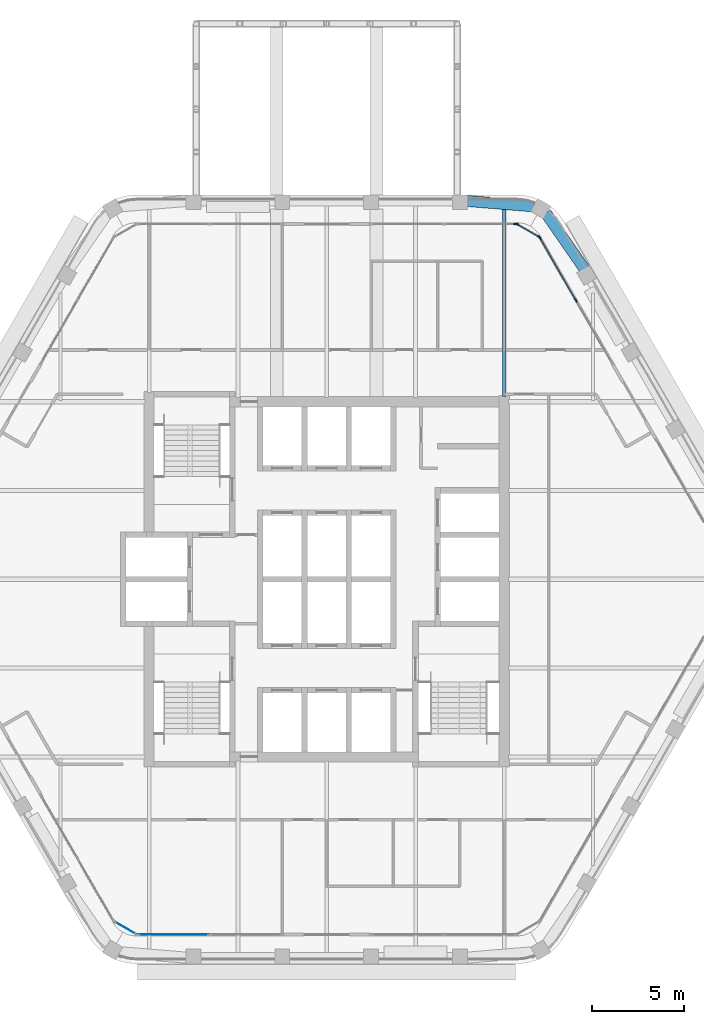
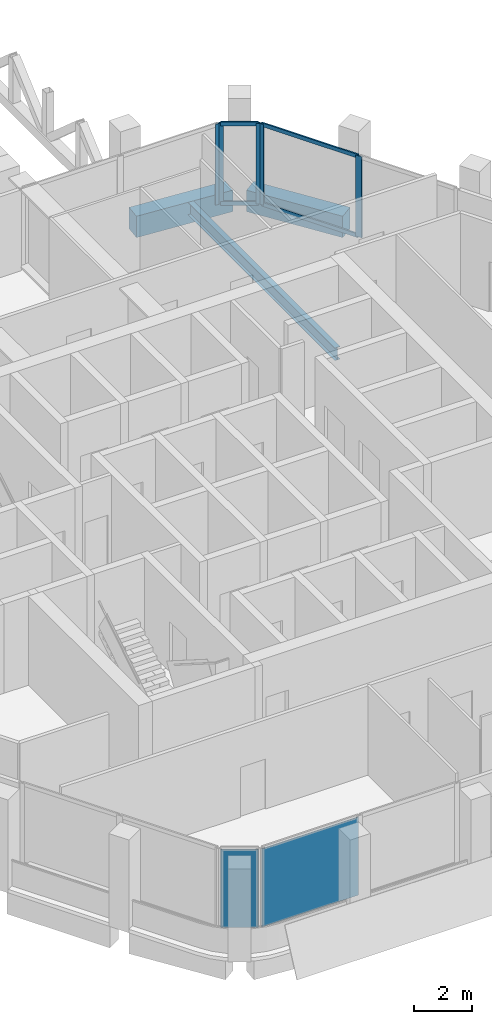
# One storey, part 6 of 14: 9 members, 3 beams, 2 plates, 5 elements without a shape of their own.
"""IFC4 building model written with IfcOpenShell, lengths in metres."""

from ifc_helpers import new_model, si_unit, direction, frame, origin, origin_2d, place, context, subcontext, project, spatial, rectangle, i_section, extrude, material, layer, layer_set, material_profile, profile_set, type_object, element, aggregate, save


model = new_model("IFC4")

# Units and contexts
model_context = context("Model", 3, precision=1e-05, world=origin(), true_north=direction((0.0, 1.0)))
body_context = subcontext(model_context, "Body", "Model", "MODEL_VIEW")
ifc_project = project(units=[si_unit("LENGTHUNIT", "METRE"), si_unit("AREAUNIT", "SQUARE_METRE"), si_unit("VOLUMEUNIT", "CUBIC_METRE"), si_unit("PLANEANGLEUNIT", "RADIAN"), si_unit("MASSUNIT", "GRAM", prefix="KILO")], contexts=[model_context])

# Site, building, storey
site_placement = place(None, origin())
site = spatial("IfcSite", under=ifc_project, at=site_placement, CompositionType="ELEMENT")
building_placement = place(site_placement, origin())
building = spatial("IfcBuilding", under=site, at=building_placement, Name="Kolab Exchange Tower", CompositionType="ELEMENT")
storey_placement = place(building_placement, frame((0.0, 0.0, 265.699951171875)))
storey = spatial("IfcBuildingStorey", under=building, at=storey_placement, Name="L59", CompositionType="ELEMENT", Elevation=265.699951171875)

# Beams
ifc_material_1 = material(Name="Steel S355", Category="steel")
ifc_material_profile_1 = material_profile(ifc_material_1, i_section(OverallWidth=0.208984375, OverallDepth=0.532958984375, WebThickness=0.01025390625, FlangeThickness=0.015625, at=origin_2d()), Name="W530X92")
ifc_profile_set_1 = profile_set([ifc_material_profile_1], Name="Steel S355")
beam_type_1 = type_object("IfcBeamType", Name="FLOOR BEAM W530X92", PredefinedType="BEAM", material=ifc_profile_set_1)
beam_placement = place(storey_placement, frame((9.60009765625, 9.885009765625, -0.41650390625), z_axis=(0.0, 1.0, 0.0), x_axis=(-1.0, 0.0, 0.0)))
element("IfcBeam", 1, at=beam_placement, inside=storey, type_object=beam_type_1, Name="beam/L59/fr/014", PredefinedType="BEAM", context=body_context, shape_type="SweptSolid", body=[
    extrude(i_section(OverallWidth=0.208984375, OverallDepth=0.532958984375, WebThickness=0.01025390625, FlangeThickness=0.015625, at=origin_2d()), origin(), (0.0, 0.0, 1.0), 10.14208984375),
])
ifc_material_2 = material(Name="Concrete C50/60", Category="concrete")
ifc_material_profile_2 = material_profile(ifc_material_2, rectangle(XDim=0.60009765625, YDim=0.89990234375, at=origin_2d()), Name="RC600X900")
ifc_profile_set_2 = profile_set([ifc_material_profile_2], Name="Concrete C50/60")
beam_type_2 = type_object("IfcBeamType", Name="SPANDREL BEAM 600X900 C50/60", PredefinedType="BEAM", material=ifc_profile_set_2)
for number, where, z_axis, x_axis, name in (
    (2, (7.56005859375, 20.455078125, -0.599853515625), (0.996666751878, -0.081580547323, 0.0), (0.081580547323, 0.996666751878, 0.0), "beam/L59/sp/F1-05"),
    (3, (11.846923828125, 19.7919921875, -0.599853515625), (0.569005808573, -0.822333502789, 0.0), (0.822333502789, 0.569005808573, 0.0), "beam/L59/sp/F2-01"),
):
    element("IfcBeam", number, at=place(storey_placement, frame(where, z_axis=z_axis, x_axis=x_axis)), inside=storey, type_object=beam_type_2, Name=name, PredefinedType="BEAM", context=body_context, shape_type="SweptSolid", body=[
        extrude(rectangle(XDim=0.60009765625, YDim=0.89990234375, at=origin_2d()), origin(), (0.0, 0.0, 1.0), 3.6689453125),
    ])

# Curtain wall, member
ifc_material_3 = material(Name="Aluminium EN AW-6063 T6", Category="aluminium")
curtain_wall_type = type_object("IfcCurtainWallType", Name="UNITISED HIGH ZONE CURTAIN WALL", PredefinedType="NOTDEFINED", material=ifc_material_3)
curtain_wall_1_placement = place(storey_placement, origin())
curtain_wall_1 = element("IfcCurtainWall", 4, at=curtain_wall_1_placement, inside=storey, type_object=curtain_wall_type, Name="cw/L59/F1-2", PredefinedType="NOTDEFINED")
ifc_material_profile_3 = material_profile(ifc_material_3, rectangle(XDim=0.06005859375, YDim=0.239990234375, at=origin_2d()), Name="RECT 60X240")
ifc_profile_set_3 = profile_set([ifc_material_profile_3], Name="Aluminium EN AW-6063 T6")
member_type_1 = type_object("IfcMemberType", Name="UNITISED HIGH ZONE MULLION 60 X 240", PredefinedType="MULLION", material=ifc_profile_set_3)
member_1_placement = place(storey_placement, frame((10.238037109375, 19.20458984375, 0.0), z_axis=(0.0, 0.0, 1.0), x_axis=(0.0, 1.0, 0.0)))
member_1 = element("IfcMember", 5, at=member_1_placement, type_object=member_type_1, Name="CW4 mullion 3", PredefinedType="MULLION", context=body_context, shape_type="SweptSolid", body=[
    extrude(rectangle(XDim=0.06005859375, YDim=0.239990234375, at=origin_2d()), origin(), (0.0, 0.0, 1.0), 3.400146484375),
])
aggregate(curtain_wall_1, [member_1])

# Curtain wall, members
curtain_wall_2_placement = place(storey_placement, origin())
curtain_wall_2 = element("IfcCurtainWall", 6, at=curtain_wall_2_placement, inside=storey, type_object=curtain_wall_type, Name="cw/L59/F2-1", PredefinedType="NOTDEFINED")
member_2_placement = place(storey_placement, frame((11.5126953125, 18.46875, 0.0), z_axis=(0.0, 0.0, 1.0), x_axis=(0.866025385493, 0.500000031681, 0.0)))
member_2 = element("IfcMember", 7, at=member_2_placement, type_object=member_type_1, Name="CW4 mullion 1", PredefinedType="MULLION", context=body_context, shape_type="SweptSolid", body=[
    extrude(rectangle(XDim=0.06005859375, YDim=0.239990234375, at=origin_2d()), origin(), (0.0, 0.0, 1.0), 3.400146484375),
])
member_3_placement = place(storey_placement, frame((13.464599609375, 15.087646484375, 0.0), z_axis=(0.0, 0.0, 1.0), x_axis=(0.866025385493, 0.500000031681, 0.0)))
member_3 = element("IfcMember", 8, at=member_3_placement, type_object=member_type_1, Name="CW4 mullion 2", PredefinedType="MULLION", context=body_context, shape_type="SweptSolid", body=[
    extrude(rectangle(XDim=0.06005859375, YDim=0.239990234375, at=origin_2d()), origin(), (0.0, 0.0, 1.0), 3.400146484375),
])

curtain_wall_3_placement = place(storey_placement, origin())
curtain_wall_3 = element("IfcCurtainWall", 9, at=curtain_wall_3_placement, inside=storey, type_object=curtain_wall_type, Name="cw/L59/F1F2-corner", PredefinedType="NOTDEFINED")
member_4_placement = place(storey_placement, frame((10.2939453125, 19.189697265625, 0.0), z_axis=(0.0, 0.0, 1.0), x_axis=(0.50000002237, 0.866025390869, 0.0)))
member_4 = element("IfcMember", 10, at=member_4_placement, type_object=member_type_1, Name="CW4 mullion 1", PredefinedType="MULLION", context=body_context, shape_type="SweptSolid", body=[
    extrude(rectangle(XDim=0.06005859375, YDim=0.239990234375, at=origin_2d()), origin(), (0.0, 0.0, 1.0), 3.400146484375),
])
member_5_placement = place(storey_placement, frame((11.4716796875, 18.509521484375, 0.0), z_axis=(0.0, 0.0, 1.0), x_axis=(0.50000002237, 0.866025390869, 0.0)))
member_5 = element("IfcMember", 11, at=member_5_placement, type_object=member_type_1, Name="CW4 mullion 2", PredefinedType="MULLION", context=body_context, shape_type="SweptSolid", body=[
    extrude(rectangle(XDim=0.06005859375, YDim=0.239990234375, at=origin_2d()), origin(), (0.0, 0.0, 1.0), 3.400146484375),
])

# Member
ifc_material_profile_4 = material_profile(ifc_material_3, rectangle(XDim=0.06005859375, YDim=0.159912109375, at=origin_2d()), Name="RECT 60X160")
ifc_profile_set_4 = profile_set([ifc_material_profile_4], Name="Aluminium EN AW-6063 T6")
member_type_2 = type_object("IfcMemberType", Name="UNITISED HIGH ZONE TRANSOM 60 X 160", PredefinedType="USERDEFINED", material=ifc_profile_set_4)
member_6_placement = place(storey_placement, frame((11.527587890625, 18.442626953125, 0.030029296875), z_axis=(0.500039492609, -0.866002601515, 0.0), x_axis=(0.866002601515, 0.500039492609, 0.0)))
member_6 = element("IfcMember", 12, at=member_6_placement, type_object=member_type_2, Name="CW4 transom 1.1", ObjectType="TRANSOM", PredefinedType="USERDEFINED", context=body_context, shape_type="SweptSolid", body=[
    extrude(rectangle(XDim=0.06005859375, YDim=0.159912109375, at=origin_2d()), origin(), (0.0, 0.0, 1.0), 3.843994140625),
])

member_7_placement = place(storey_placement, frame((11.527587890625, 18.442626953125, 3.3701171875), z_axis=(0.500039492609, -0.866002601515, 0.0), x_axis=(0.866002601515, 0.500039492609, 0.0)))
member_7 = element("IfcMember", 13, at=member_7_placement, type_object=member_type_2, Name="CW4 transom 1.2", ObjectType="TRANSOM", PredefinedType="USERDEFINED", context=body_context, shape_type="SweptSolid", body=[
    extrude(rectangle(XDim=0.06005859375, YDim=0.159912109375, at=origin_2d()), origin(), (0.0, 0.0, 1.0), 3.843994140625),
])

aggregate(curtain_wall_2, [member_2, member_3, member_6, member_7])

member_8_placement = place(storey_placement, frame((10.31982421875, 19.174560546875, 0.030029296875), z_axis=(0.866085525409, -0.49989585183, 0.0), x_axis=(0.49989585183, 0.866085525409, 0.0)))
member_8 = element("IfcMember", 14, at=member_8_placement, type_object=member_type_2, Name="CW4 transom 1.1", ObjectType="TRANSOM", PredefinedType="USERDEFINED", context=body_context, shape_type="SweptSolid", body=[
    extrude(rectangle(XDim=0.06005859375, YDim=0.159912109375, at=origin_2d()), origin(), (0.0, 0.0, 1.0), 1.300048828125),
])

member_9_placement = place(storey_placement, frame((10.31982421875, 19.174560546875, 3.3701171875), z_axis=(0.866085525409, -0.49989585183, 0.0), x_axis=(0.49989585183, 0.866085525409, 0.0)))
member_9 = element("IfcMember", 15, at=member_9_placement, type_object=member_type_2, Name="CW4 transom 1.2", ObjectType="TRANSOM", PredefinedType="USERDEFINED", context=body_context, shape_type="SweptSolid", body=[
    extrude(rectangle(XDim=0.06005859375, YDim=0.159912109375, at=origin_2d()), origin(), (0.0, 0.0, 1.0), 1.300048828125),
])

aggregate(curtain_wall_3, [member_4, member_5, member_8, member_9])

# Curtain wall, plate
curtain_wall_4_placement = place(storey_placement, origin())
curtain_wall_4 = element("IfcCurtainWall", 16, at=curtain_wall_4_placement, inside=storey, type_object=curtain_wall_type, Name="cw/L59/F4-2", PredefinedType="NOTDEFINED")
ifc_material_4 = material(Name="Clear insulated glazing unit", Category="glass")
ifc_layer = layer(ifc_material_4, 0.030029296875)
ifc_layer_set = layer_set([ifc_layer], Name="Clear insulated glazing unit")
plate_type = type_object("IfcPlateType", Name="UNITISED HIGH ZONE GLASS PANEL 30", PredefinedType="CURTAIN_PANEL", material=ifc_layer_set)
plate_1_placement = place(storey_placement, frame((-8.285888671875, -19.20458984375, 0.06005859375), z_axis=(0.0, 0.0, 1.0), x_axis=(-1.0, 0.0, 0.0)))
plate_1 = element("IfcPlate", 17, at=plate_1_placement, type_object=plate_type, Name="CW4 panel 2.1", PredefinedType="CURTAIN_PANEL", context=body_context, shape_type="SweptSolid", body=[
    extrude(rectangle(XDim=3.843994140625, YDim=0.030029296875, at=origin_2d()), origin(), (0.0, 0.0, 1.0), 3.280029296875),
])
aggregate(curtain_wall_4, [plate_1])

curtain_wall_5_placement = place(storey_placement, origin())
curtain_wall_5 = element("IfcCurtainWall", 18, at=curtain_wall_5_placement, inside=storey, type_object=curtain_wall_type, Name="cw/L59/F4F5-corner", PredefinedType="NOTDEFINED")
plate_2_placement = place(storey_placement, frame((-10.8828125, -18.849609375, 0.06005859375), z_axis=(0.0, 0.0, 1.0), x_axis=(-0.866025390869, 0.50000002237, 0.0)))
plate_2 = element("IfcPlate", 19, at=plate_2_placement, type_object=plate_type, Name="CW4 panel 1.1", PredefinedType="CURTAIN_PANEL", context=body_context, shape_type="SweptSolid", body=[
    extrude(rectangle(XDim=1.300048828125, YDim=0.030029296875, at=origin_2d()), origin(), (0.0, 0.0, 1.0), 3.280029296875),
])
aggregate(curtain_wall_5, [plate_2])

save(model, "model.ifc")
